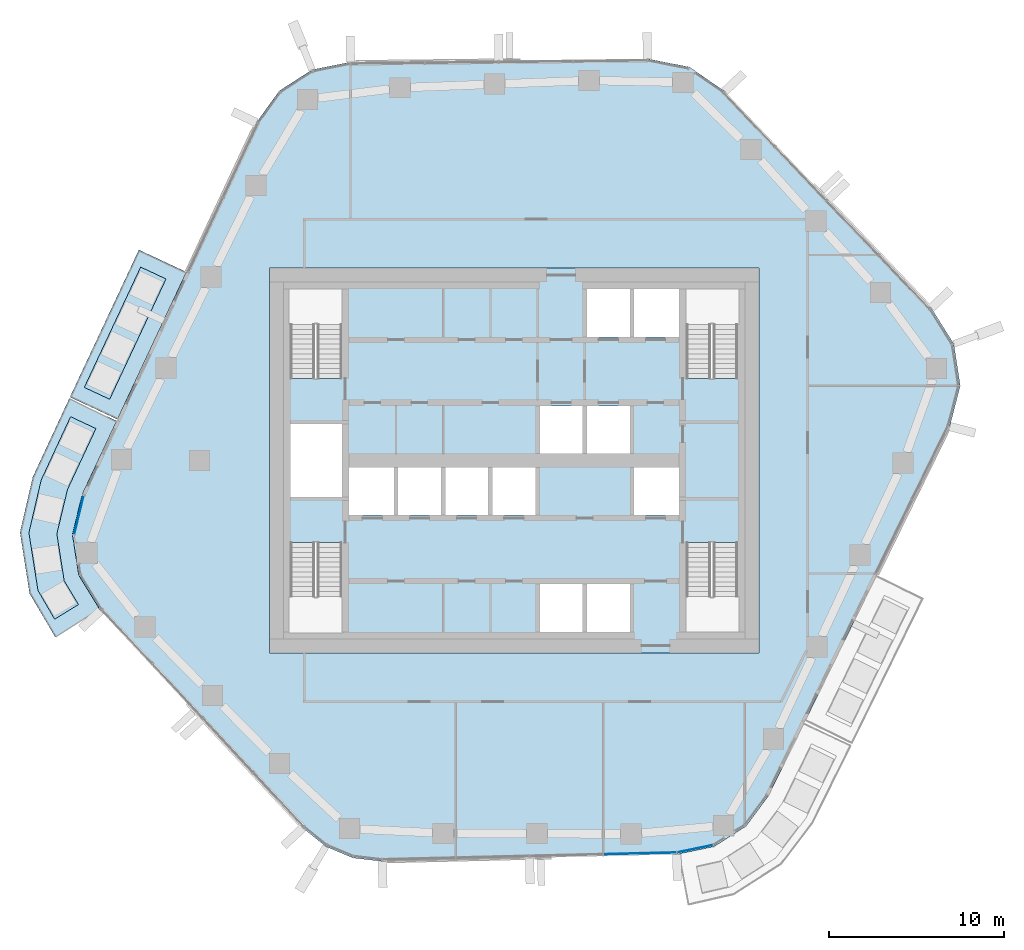
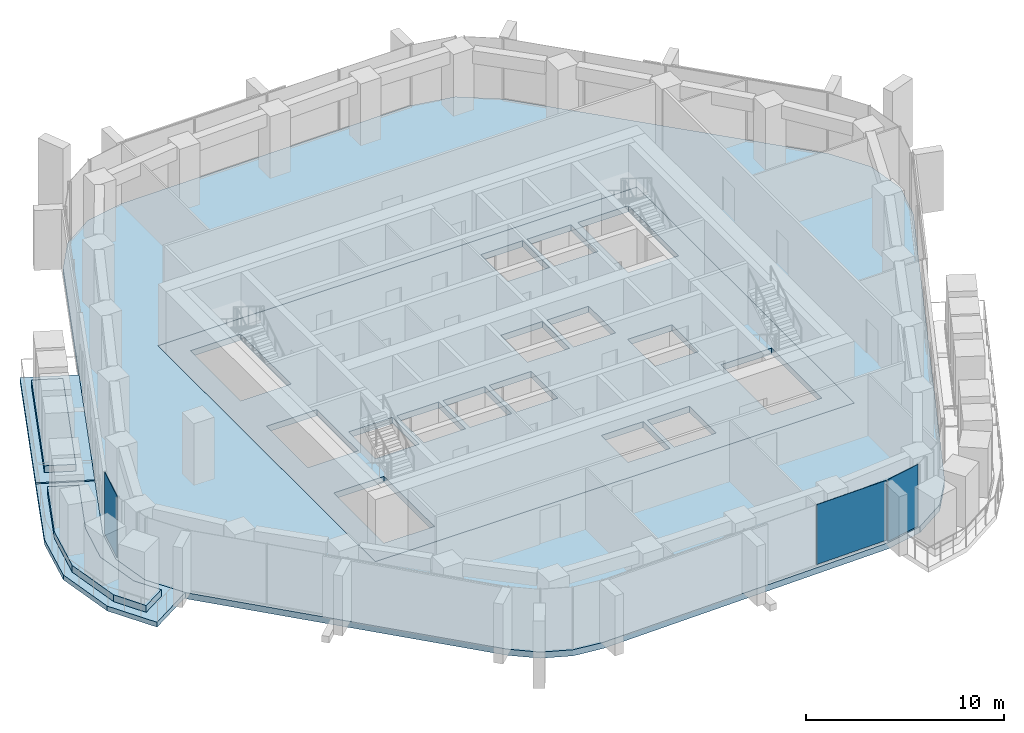
# One storey, part 8 of 17: 6 slabs, 3 plates, 3 elements without a shape of their own.
"""IFC4 building model written with IfcOpenShell, lengths in metres."""

from ifc_helpers import new_model, si_unit, direction, frame, origin, origin_2d, place, context, subcontext, project, spatial, polyline, rectangle, outline, extrude, material, layer, layer_set, type_object, element, aggregate, save


model = new_model("IFC4")

# Units and contexts
model_context = context("Model", 3, precision=1e-05, world=origin(), true_north=direction((0.0, 1.0)))
body_context = subcontext(model_context, "Body", "Model", "MODEL_VIEW")
ifc_project = project(units=[si_unit("LENGTHUNIT", "METRE"), si_unit("AREAUNIT", "SQUARE_METRE"), si_unit("VOLUMEUNIT", "CUBIC_METRE"), si_unit("PLANEANGLEUNIT", "RADIAN"), si_unit("MASSUNIT", "GRAM", prefix="KILO")], contexts=[model_context])

# Site, building, storey
site_placement = place(None, origin())
site = spatial("IfcSite", under=ifc_project, at=site_placement, CompositionType="ELEMENT")
building_placement = place(site_placement, origin())
building = spatial("IfcBuilding", under=site, at=building_placement, Name="Dongbaek Canopy Tower", CompositionType="ELEMENT")
storey_placement = place(building_placement, frame((0.0, 0.0, 211.39990234375)))
storey = spatial("IfcBuildingStorey", under=building, at=storey_placement, Name="L44", CompositionType="ELEMENT", Elevation=211.39990234375)

# Slabs
ifc_material_1 = material(Name="Concrete C40/50", Category="concrete")
ifc_layer_1 = layer(ifc_material_1, 0.300048828125)
ifc_layer_set_1 = layer_set([ifc_layer_1], Name="Balcony slab 300")
slab_type_1 = type_object("IfcSlabType", Name="Balcony slab 300", PredefinedType="FLOOR", material=ifc_layer_set_1)
slab_1_placement = place(storey_placement, frame((0.0, 0.0, -0.2998046875)))
element("IfcSlab", 1, at=slab_1_placement, inside=storey, type_object=slab_type_1, Name="Balcony L44 1", PredefinedType="FLOOR", context=body_context, shape_type="SweptSolid", body=[
    extrude(outline(polyline([(-18.7412109375, 10.77734375), (-22.6865234375, 2.354736328125), (-25.403076171875, 3.627197265625), (-21.4580078125, 12.0498046875), (-18.7412109375, 10.77734375)])), origin(), (0.0, 0.0, 1.0), 0.2998046875),
])
slab_2_placement = place(storey_placement, frame((0.0, 0.0, -0.2998046875)))
element("IfcSlab", 2, at=slab_2_placement, inside=storey, type_object=slab_type_1, Name="Balcony L44 3", PredefinedType="FLOOR", context=body_context, shape_type="SweptSolid", body=[
    extrude(outline(polyline([(-22.728759765625, 2.26416015625), (-24.701416015625, -1.947265625), (-25.2626953125, -4.239501953125), (-24.896484375, -6.57080078125), (-23.685546875, -8.5380859375), (-26.240478515625, -10.110595703125), (-27.710693359375, -7.610107421875), (-28.260009765625, -4.113037109375), (-27.530517578125, -0.949462890625), (-25.445556640625, 3.53662109375), (-22.728759765625, 2.26416015625)])), origin(), (0.0, 0.0, 1.0), 0.2998046875),
])

# Curtain wall, plate
ifc_material_2 = material(Name="Aluminium 6063-T6 pale anodised", Category="aluminium")
ifc_layer_2 = layer(ifc_material_2, 0.199951171875)
ifc_layer_set_2 = layer_set([ifc_layer_2], Name="CW-1 unitised tower curtain wall")
curtain_wall_type = type_object("IfcCurtainWallType", Name="CW-1 unitised tower curtain wall", PredefinedType="NOTDEFINED", material=ifc_layer_set_2)
curtain_wall_1_placement = place(storey_placement, origin())
curtain_wall_1 = element("IfcCurtainWall", 3, at=curtain_wall_1_placement, inside=storey, type_object=curtain_wall_type, Name="CW-1 curtain wall K3.1a", PredefinedType="NOTDEFINED")
ifc_material_3 = material(Name="Clear laminated glass", Category="glass")
ifc_layer_3 = layer(ifc_material_3, 0.028076171875)
ifc_layer_set_3 = layer_set([ifc_layer_3], Name="CW-1 glazed panel 28")
plate_type = type_object("IfcPlateType", Name="CW-1 glazed panel 28", PredefinedType="CURTAIN_PANEL", material=ifc_layer_set_3)
plate_1_placement = place(storey_placement, frame((-24.8837890625, -3.1123046875, 0.0), z_axis=(0.0, 0.0, 1.0), x_axis=(-0.23779917383, -0.971314343004, 0.0)))
plate_1 = element("IfcPlate", 4, at=plate_1_placement, type_object=plate_type, Name="CW-1 panel K3.1a.1.1", PredefinedType="CURTAIN_PANEL", context=body_context, shape_type="SweptSolid", body=[
    extrude(rectangle(XDim=2.24609375, YDim=0.028076171875, at=origin_2d()), origin(), (0.0, 0.0, 1.0), 3.820068359375),
])
aggregate(curtain_wall_1, [plate_1])

curtain_wall_2_placement = place(storey_placement, origin())
curtain_wall_2 = element("IfcCurtainWall", 5, at=curtain_wall_2_placement, inside=storey, type_object=curtain_wall_type, Name="CW-1 curtain wall F4.1", PredefinedType="NOTDEFINED")
plate_2_placement = place(storey_placement, frame((7.203857421875, -22.480224609375, 0.1201171875), z_axis=(0.0, 0.0, 1.0), x_axis=(0.99971557749, 0.023848776152, 0.0)))
plate_2 = element("IfcPlate", 6, at=plate_2_placement, type_object=plate_type, Name="CW-1 panel F4.1.4.1", PredefinedType="CURTAIN_PANEL", context=body_context, shape_type="SweptSolid", body=[
    extrude(rectangle(XDim=4.123046875, YDim=0.028076171875, at=origin_2d()), origin(), (0.0, 0.0, 1.0), 3.699951171875),
])
aggregate(curtain_wall_2, [plate_2])

curtain_wall_3_placement = place(storey_placement, origin())
curtain_wall_3 = element("IfcCurtainWall", 7, at=curtain_wall_3_placement, inside=storey, type_object=curtain_wall_type, Name="CW-1 curtain wall K5.1a", PredefinedType="NOTDEFINED")
plate_3_placement = place(storey_placement, frame((10.355224609375, -22.21142578125, 0.0), z_axis=(0.0, 0.0, 1.0), x_axis=(0.978932206803, 0.204185539361, 0.0)))
plate_3 = element("IfcPlate", 8, at=plate_3_placement, type_object=plate_type, Name="CW-1 panel K5.1a.1.1", PredefinedType="CURTAIN_PANEL", context=body_context, shape_type="SweptSolid", body=[
    extrude(rectangle(XDim=2.057861328125, YDim=0.028076171875, at=origin_2d()), origin(), (0.0, 0.0, 1.0), 3.820068359375),
])
aggregate(curtain_wall_3, [plate_3])

# Slabs
ifc_material_4 = material(Name="Concrete C40/50", Category="concrete")
ifc_layer_4 = layer(ifc_material_4, 0.3798828125)
ifc_layer_set_4 = layer_set([ifc_layer_4], Name="Core floor slab 380 Concrete C40/50")
slab_type_2 = type_object("IfcSlabType", Name="Core floor slab 380 Concrete C40/50", PredefinedType="FLOOR", material=ifc_layer_set_4)
slab_3_placement = place(storey_placement, frame((0.0, 0.0, -0.3798828125)))
element("IfcSlab", 9, at=slab_3_placement, inside=storey, type_object=slab_type_2, Name="Core floor slab L44", PredefinedType="FLOOR", context=body_context, shape_type="SweptSolid", body=[
    extrude(outline(polyline([(14.0, -11.0), (14.0, 11.0), (-14.0, 11.0), (-14.0, -11.0), (14.0, -11.0)]), holes=[polyline([(-12.800048828125, 2.10009765625), (-9.85009765625, 2.10009765625), (-9.85009765625, -2.10009765625), (-12.800048828125, -2.10009765625), (-12.800048828125, 2.10009765625)]), polyline([(6.625, 9.800048828125), (6.625, 7.074951171875), (4.175048828125, 7.074951171875), (4.175048828125, 9.800048828125), (6.625, 9.800048828125)]), polyline([(9.449951171875, 7.074951171875), (6.875, 7.074951171875), (6.875, 9.800048828125), (9.449951171875, 9.800048828125), (9.449951171875, 7.074951171875)]), polyline([(1.47509765625, 0.39990234375), (1.47509765625, 3.125), (3.925048828125, 3.125), (3.925048828125, 0.39990234375), (1.47509765625, 0.39990234375)]), polyline([(4.175048828125, 0.39990234375), (4.175048828125, 3.125), (6.625, 3.125), (6.625, 0.39990234375), (4.175048828125, 0.39990234375)]), polyline([(-9.449951171875, -0.39990234375), (-6.875, -0.39990234375), (-6.875, -3.125), (-9.449951171875, -3.125), (-9.449951171875, -0.39990234375)]), polyline([(-6.625, -3.125), (-6.625, -0.39990234375), (-4.175048828125, -0.39990234375), (-4.175048828125, -3.125), (-6.625, -3.125)]), polyline([(-3.925048828125, -3.125), (-3.925048828125, -0.39990234375), (-1.47509765625, -0.39990234375), (-1.47509765625, -3.125), (-3.925048828125, -3.125)]), polyline([(-1.22509765625, -3.125), (-1.22509765625, -0.39990234375), (1.22509765625, -0.39990234375), (1.22509765625, -3.125), (-1.22509765625, -3.125)]), polyline([(9.449951171875, -3.125), (6.875, -3.125), (6.875, -0.39990234375), (9.449951171875, -0.39990234375), (9.449951171875, -3.125)]), polyline([(1.47509765625, -9.800048828125), (1.47509765625, -7.074951171875), (3.925048828125, -7.074951171875), (3.925048828125, -9.800048828125), (1.47509765625, -9.800048828125)]), polyline([(4.175048828125, -9.800048828125), (4.175048828125, -7.074951171875), (6.625, -7.074951171875), (6.625, -9.800048828125), (4.175048828125, -9.800048828125)]), polyline([(12.800048828125, 4.70068359375), (12.800048828125, 9.800048828125), (9.85009765625, 9.800048828125), (9.85009765625, 4.70068359375), (12.800048828125, 4.70068359375)]), polyline([(-9.85009765625, 4.70068359375), (-9.85009765625, 9.800048828125), (-12.800048828125, 9.800048828125), (-12.800048828125, 4.70068359375), (-9.85009765625, 4.70068359375)]), polyline([(9.85009765625, -4.70068359375), (9.85009765625, -9.800048828125), (12.800048828125, -9.800048828125), (12.800048828125, -4.70068359375), (9.85009765625, -4.70068359375)]), polyline([(-12.800048828125, -4.70068359375), (-12.800048828125, -9.800048828125), (-9.85009765625, -9.800048828125), (-9.85009765625, -4.70068359375), (-12.800048828125, -4.70068359375)])]), origin(), (0.0, 0.0, 1.0), 0.3798828125),
])
ifc_material_5 = material(Name="Concrete C40", Category="concrete")
ifc_layer_5 = layer(ifc_material_5, 0.3798828125)
ifc_layer_set_5 = layer_set([ifc_layer_5], Name="RC FLAT PLATE 380 Concrete C40")
slab_type_3 = type_object("IfcSlabType", Name="RC FLAT PLATE 380 Concrete C40", PredefinedType="FLOOR", material=ifc_layer_set_5)
slab_4_placement = place(storey_placement, frame((0.0, 0.0, -0.3798828125)))
element("IfcSlab", 10, at=slab_4_placement, inside=storey, type_object=slab_type_3, Name="SLAB:L44", PredefinedType="FLOOR", context=body_context, shape_type="SweptSolid", body=[
    extrude(outline(polyline([(14.561279296875, -19.175048828125), (13.269287109375, -20.917724609375), (11.44189453125, -22.0869140625), (9.318115234375, -22.52978515625), (-7.5419921875, -22.93212890625), (-9.21484375, -22.735595703125), (-10.76708984375, -22.081787109375), (-12.07666015625, -21.022216796875), (-23.659423828125, -8.580810546875), (-24.896484375, -6.57080078125), (-25.2626953125, -4.239501953125), (-24.701416015625, -1.947265625), (-14.732421875, 19.335693359375), (-13.427490234375, 21.144287109375), (-11.552001953125, 22.3515625), (-9.365478515625, 22.790283203125), (7.635986328125, 22.978759765625), (10.032958984375, 22.5078125), (12.043701171875, 21.12060546875), (23.8759765625, 8.71728515625), (25.15869140625, 6.665771484375), (25.527099609375, 4.2744140625), (24.9208984375, 1.93212890625), (14.561279296875, -19.175048828125)]), holes=[polyline([(14.0, 11.0), (-14.0, 11.0), (-14.0, -11.0), (14.0, -11.0), (14.0, 11.0)])]), origin(), (0.0, 0.0, 1.0), 0.3798828125),
])
ifc_material_6 = material(Name="Reinforced concrete C40/50 planter box with soil", Category="concrete")
ifc_layer_6 = layer(ifc_material_6, 0.419921875)
ifc_layer_set_6 = layer_set([ifc_layer_6], Name="Terrace planter box 1600 x 420")
slab_type_4 = type_object("IfcSlabType", Name="Terrace planter box 1600 x 420", PredefinedType="USERDEFINED", material=ifc_layer_set_6)
slab_5_placement = place(storey_placement, origin())
element("IfcSlab", 11, at=slab_5_placement, inside=storey, type_object=slab_type_4, Name="Balcony planter L44 1", ObjectType="PLANTER", PredefinedType="USERDEFINED", context=body_context, shape_type="SweptSolid", body=[
    extrude(outline(polyline([(-19.90771484375, 10.385009765625), (-23.1318359375, 3.501953125), (-24.580810546875, 4.1806640625), (-21.356689453125, 11.063720703125), (-19.90771484375, 10.385009765625)])), origin(), (0.0, 0.0, 1.0), 0.420166015625),
])
slab_6_placement = place(storey_placement, origin())
element("IfcSlab", 12, at=slab_6_placement, inside=storey, type_object=slab_type_4, Name="Balcony planter L44 3", ObjectType="PLANTER", PredefinedType="USERDEFINED", context=body_context, shape_type="SweptSolid", body=[
    extrude(outline(polyline([(-23.91650390625, 1.82666015625), (-25.540771484375, -1.651123046875), (-26.15185546875, -4.201904296875), (-25.731201171875, -6.879150390625), (-24.915283203125, -8.238037109375), (-26.27783203125, -9.07666015625), (-27.232177734375, -7.433349609375), (-27.75048828125, -4.134521484375), (-27.049560546875, -1.118896484375), (-25.365478515625, 2.50537109375), (-23.91650390625, 1.82666015625)])), origin(), (0.0, 0.0, 1.0), 0.420166015625),
])

save(model, "model.ifc")
